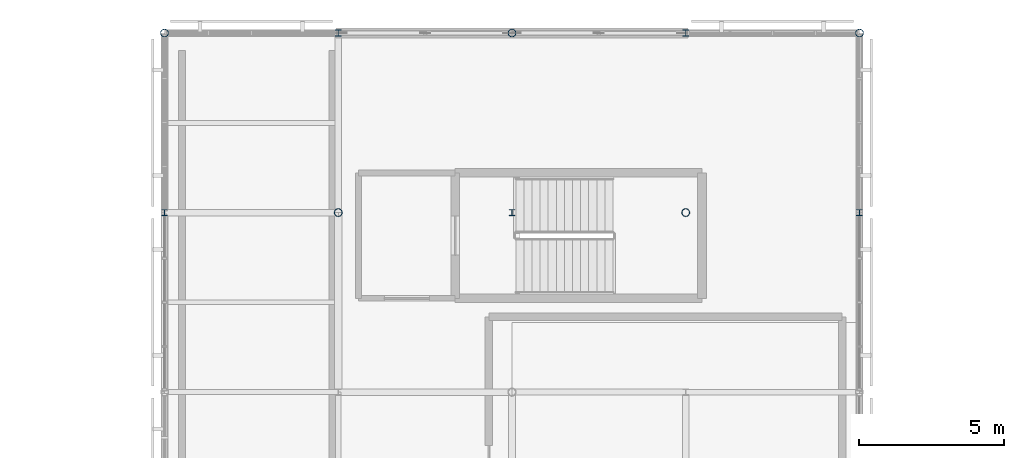
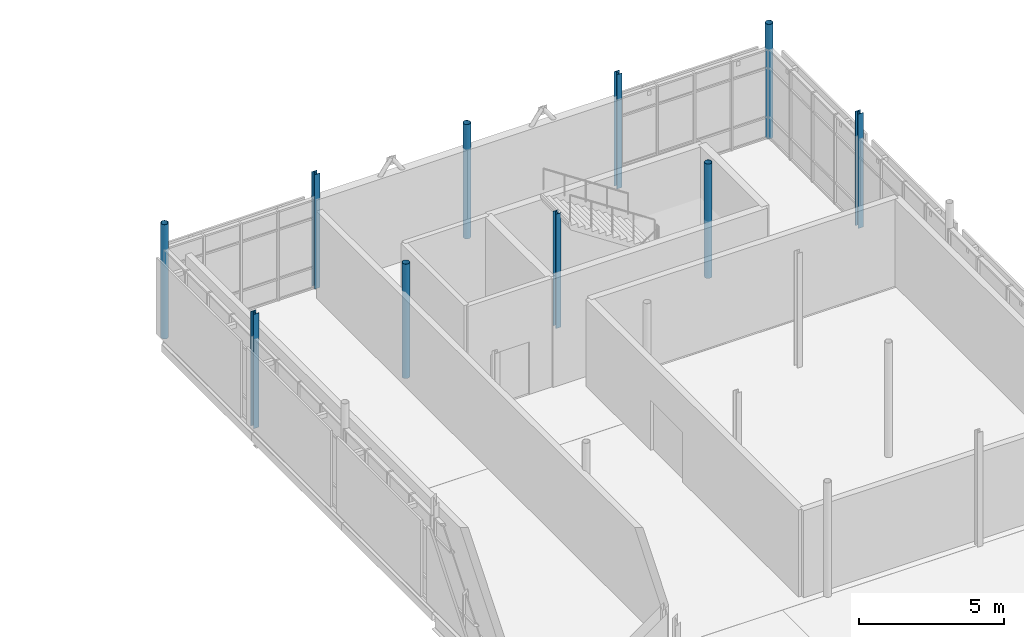
# One storey, part 13 of 48: 10 columns.
"""IFC4 building model written with IfcOpenShell, lengths in metres."""

from ifc_helpers import new_model, si_unit, direction, frame, origin, origin_2d, place, context, subcontext, project, spatial, hollow_circle, i_section, extrude, material, material_profile, profile_set, type_object, element, save


model = new_model("IFC4")

# Units and contexts
model_context = context("Model", 3, precision=1e-05, world=origin(), true_north=direction((0.0, 1.0)))
body_context = subcontext(model_context, "Body", "Model", "MODEL_VIEW")
ifc_project = project(units=[si_unit("LENGTHUNIT", "METRE"), si_unit("AREAUNIT", "SQUARE_METRE"), si_unit("VOLUMEUNIT", "CUBIC_METRE"), si_unit("PLANEANGLEUNIT", "RADIAN"), si_unit("MASSUNIT", "GRAM", prefix="KILO")], contexts=[model_context])

# Site, building, storey
site_placement = place(None, origin())
site = spatial("IfcSite", under=ifc_project, at=site_placement, CompositionType="ELEMENT")
building_placement = place(site_placement, origin())
building = spatial("IfcBuilding", under=site, at=building_placement, Name="Mirzam Square Science Centre", CompositionType="ELEMENT")
storey_placement = place(building_placement, frame((0.0, 0.0, 20.39990234375)))
storey = spatial("IfcBuildingStorey", under=building, at=storey_placement, Name="L04", CompositionType="ELEMENT", Elevation=20.39990234375)

# Columns
ifc_material = material(Name="Steel S355", Category="steel")
ifc_material_profile_1 = material_profile(ifc_material, hollow_circle(Radius=0.136474609375, WallThickness=0.010009765625, at=origin_2d()), Name="273.0x10.0CHS")
ifc_profile_set_1 = profile_set([ifc_material_profile_1], Name="Steel S355")
column_type_1 = type_object("IfcColumnType", Name="COL-CHS273", PredefinedType="COLUMN", material=ifc_profile_set_1)
for number, where, z_axis, x_axis, name in (
    (1, (114.0, 111.60009765625, 0.0), (0.0, 0.0, 1.0), (1.0, 0.0, 0.0), "L04 column G20-19"),
    (2, (120.0, 105.39990234375, 0.0), (0.0, 0.0, 1.0), (1.0, 0.0, 0.0), "L04 column G21-18"),
    (3, (126.0, 111.60009765625, 0.0), (0.0, 0.0, 1.0), (1.0, 0.0, 0.0), "L04 column G22-19"),
    (4, (132.0, 105.39990234375, 0.0), (0.0, 0.0, 1.0), (1.0, 0.0, 0.0), "L04 column G23-18"),
    (5, (138.0, 111.60009765625, 0.0), (0.0, 0.0, 1.0), (1.0, 0.0, 0.0), "L04 column G24-19"),
):
    element("IfcColumn", number, at=place(storey_placement, frame(where, z_axis=z_axis, x_axis=x_axis)), inside=storey, type_object=column_type_1, Name=name, PredefinedType="COLUMN", context=body_context, shape_type="SweptSolid", body=[
        extrude(hollow_circle(Radius=0.136474609375, WallThickness=0.010009765625, at=origin_2d()), origin(), (0.0, 0.0, 1.0), 4.800048828125),
    ])
ifc_material_profile_2 = material_profile(ifc_material, i_section(OverallWidth=0.205810546875, OverallDepth=0.209716796875, WebThickness=0.009521484375, FlangeThickness=0.01416015625, FilletRadius=0.01025390625, at=origin_2d()), Name="203x203x60UC")
ifc_profile_set_2 = profile_set([ifc_material_profile_2], Name="Steel S355")
column_type_2 = type_object("IfcColumnType", Name="COL-UC203A", PredefinedType="COLUMN", material=ifc_profile_set_2)
for number, where, z_axis, x_axis, name in (
    (6, (114.0, 105.39990234375, 0.0), (0.0, 0.0, 1.0), (1.0, 0.0, 0.0), "L04 column G20-18"),
    (7, (120.0, 111.60009765625, 0.0), (0.0, 0.0, 1.0), (1.0, 0.0, 0.0), "L04 column G21-19"),
    (8, (126.0, 105.39990234375, 0.0), (0.0, 0.0, 1.0), (1.0, 0.0, 0.0), "L04 column G22-18"),
    (9, (132.0, 111.60009765625, 0.0), (0.0, 0.0, 1.0), (1.0, 0.0, 0.0), "L04 column G23-19"),
    (10, (138.0, 105.39990234375, 0.0), (0.0, 0.0, 1.0), (1.0, 0.0, 0.0), "L04 column G24-18"),
):
    element("IfcColumn", number, at=place(storey_placement, frame(where, z_axis=z_axis, x_axis=x_axis)), inside=storey, type_object=column_type_2, Name=name, PredefinedType="COLUMN", context=body_context, shape_type="SweptSolid", body=[
        extrude(i_section(OverallWidth=0.205810546875, OverallDepth=0.209716796875, WebThickness=0.009521484375, FlangeThickness=0.01416015625, FilletRadius=0.01025390625, at=origin_2d()), origin(), (0.0, 0.0, 1.0), 4.800048828125),
    ])

save(model, "model.ifc")
